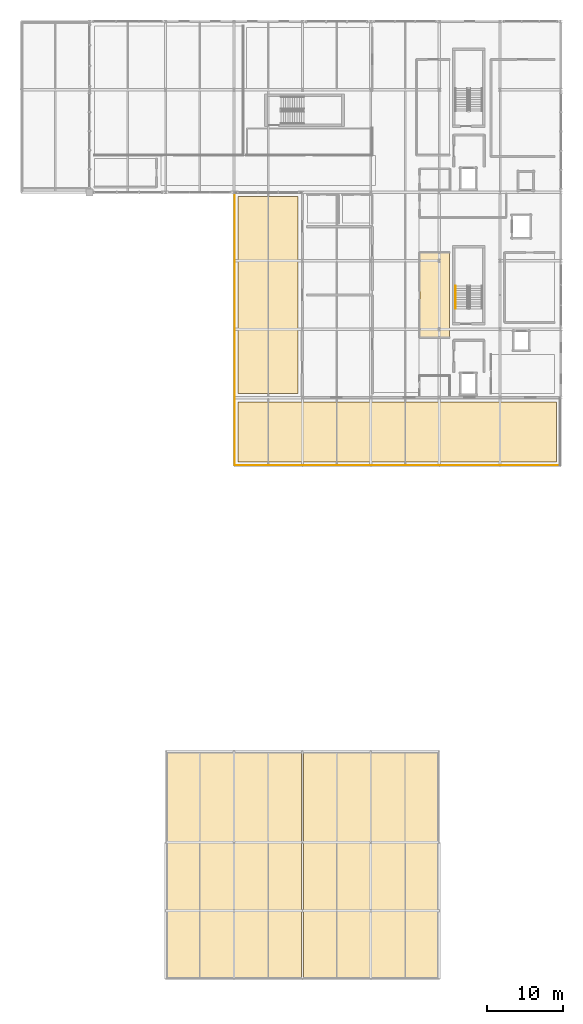
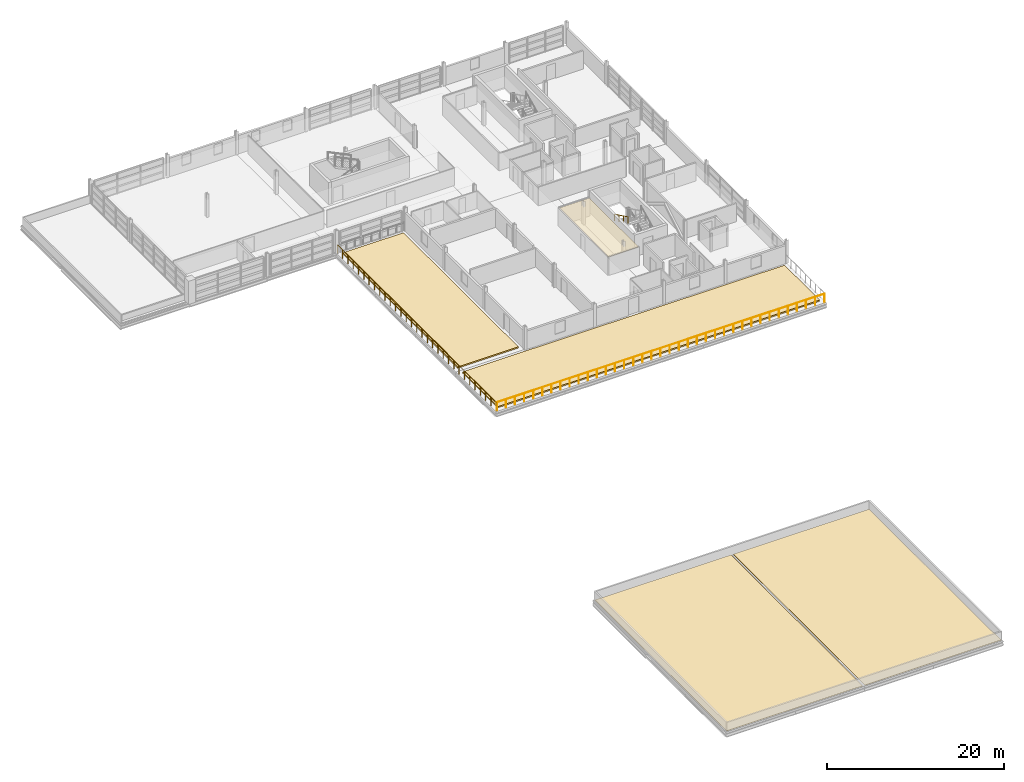
# One storey, part 26 of 30: 5 coverings, 3 railings.
"""IFC4 building model written with IfcOpenShell, lengths in metres."""

import ifcopenshell
import ifcopenshell.guid

model = None  # the IFC model being written
_history = None  # IfcOwnerHistory: only IFC2X3 demands one
_inside = {}  # id of a spatial element -> (the spatial element, [elements in it])
_under = {}  # id of a project, library or spatial element -> (it, [spatial elements below it])
_declared = {}  # id of a project -> (the project, [libraries it declares])
_typed = {}  # id of a type object -> (the type object, [elements of that type])
_made_of = {}  # id of a material, layer set ... -> (it, [elements and type objects made of it])


def new_model(schema):
    """Start an empty IFC model of exactly this schema.

    Asked for "IFC4X3", IfcOpenShell would pick the latest addendum, in which some entities
    have other attributes; the version numbers below select the first issue.
    IFC2X3 requires an IfcOwnerHistory on every rooted entity: one is made here for all.
    """
    global model, _history
    if schema == "IFC4X3":
        model = ifcopenshell.file(schema_version=(4, 3, 0, 0))
    else:
        model = ifcopenshell.file(schema=schema)
    _inside.clear()
    _under.clear()
    _declared.clear()
    _typed.clear()
    _made_of.clear()
    _history = None
    if model.schema == "IFC2X3":
        org = make("IfcOrganization", Name="unknown")
        user = make(
            "IfcPersonAndOrganization",
            ThePerson=make("IfcPerson", FamilyName="unknown"),
            TheOrganization=org,
        )
        app = make(
            "IfcApplication",
            ApplicationDeveloper=org,
            Version="unknown",
            ApplicationFullName="unknown",
            ApplicationIdentifier="unknown",
        )
        _history = make(
            "IfcOwnerHistory",
            OwningUser=user,
            OwningApplication=app,
            ChangeAction="ADDED",
            CreationDate=0,
        )
    return model


def make(cls, **values):
    """One entity of the class cls with the attributes given. An attribute that is None is left unset."""
    return model.create_entity(
        cls, **{name: value for name, value in values.items() if value is not None}
    )


def rooted(cls, **values):
    """An entity with a GlobalId (a new one), such as an element, a storey or a relation."""
    return make(cls, GlobalId=ifcopenshell.guid.new(), OwnerHistory=_history, **values)


def si_unit(unit_type, name, prefix=None):
    """IfcSIUnit, for example si_unit("LENGTHUNIT", "METRE", prefix="MILLI")."""
    return make("IfcSIUnit", UnitType=unit_type, Prefix=prefix, Name=name)


def assignment(units):
    """IfcUnitAssignment: the units of a project."""
    return None if units is None else make("IfcUnitAssignment", Units=units)


def point(xyz):
    """IfcCartesianPoint."""
    return None if xyz is None else make("IfcCartesianPoint", Coordinates=xyz)


def direction(xyz):
    """IfcDirection."""
    return None if xyz is None else make("IfcDirection", DirectionRatios=xyz)


def frame(location, z_axis=None, x_axis=None):
    """IfcAxis2Placement3D, a coordinate frame: its origin and axes. An axis left out is left unset."""
    return make(
        "IfcAxis2Placement3D",
        Location=point(location),
        Axis=direction(z_axis),
        RefDirection=direction(x_axis),
    )


def frame_2d(location, x_axis=None):
    """IfcAxis2Placement2D, a coordinate frame in the plane: its origin and x axis."""
    return make(
        "IfcAxis2Placement2D", Location=point(location), RefDirection=direction(x_axis)
    )


def origin():
    """The frame at (0, 0, 0) with its axes left unset."""
    return frame((0.0, 0.0, 0.0))


def origin_2d():
    """The frame at (0, 0) in the plane with its x axis left unset."""
    return frame_2d((0.0, 0.0))


def place(relative_to, where):
    """IfcLocalPlacement: puts the frame where relative to a parent placement (None: the world)."""
    return make(
        "IfcLocalPlacement", PlacementRelTo=relative_to, RelativePlacement=where
    )


def context(
    kind, dimensions, precision=None, world=None, true_north=None, identifier=None
):
    """IfcGeometricRepresentationContext, for example the 3D "Model" context."""
    return make(
        "IfcGeometricRepresentationContext",
        ContextIdentifier=identifier,
        ContextType=kind,
        CoordinateSpaceDimension=dimensions,
        Precision=precision,
        WorldCoordinateSystem=world,
        TrueNorth=true_north,
    )


def subcontext(parent, identifier, kind, view, scale=None):
    """IfcGeometricRepresentationSubContext, for example "Body" below "Model"."""
    return make(
        "IfcGeometricRepresentationSubContext",
        ContextIdentifier=identifier,
        ContextType=kind,
        ParentContext=parent,
        TargetScale=scale,
        TargetView=view,
    )


def project(units=None, contexts=None):
    """IfcProject with its units and contexts."""
    return rooted(
        "IfcProject",
        Name="project",
        RepresentationContexts=contexts,
        UnitsInContext=assignment(units),
    )


def spatial(cls, under=None, at=None, **own):
    """A site, building, storey or space (cls), placed at a placement, below another one or the project."""
    s = rooted(cls, ObjectPlacement=at, **own)
    if under is not None:
        _under.setdefault(under.id(), (under, []))[1].append(s)
    return s


def polyline(points):
    """IfcPolyline through the points."""
    return make("IfcPolyline", Points=[point(p) for p in points])


def profile(cls, at=None, kind="AREA", **sizes):
    """A parametric profile (cls). Its sizes go by their IFC names, for example OverallWidth=200.0."""
    return make(cls, ProfileType=kind, Position=at, **sizes)


def circle(**sizes):
    """IfcCircleProfileDef."""
    return profile("IfcCircleProfileDef", **sizes)


def outline(outer, holes=None, kind="AREA"):
    """IfcArbitraryClosedProfileDef: a profile drawn as a closed curve; with holes, ...WithVoids."""
    if holes is None:
        return make("IfcArbitraryClosedProfileDef", ProfileType=kind, OuterCurve=outer)
    return make(
        "IfcArbitraryProfileDefWithVoids",
        ProfileType=kind,
        OuterCurve=outer,
        InnerCurves=holes,
    )


def extrude(swept, where, along, depth):
    """IfcExtrudedAreaSolid: the profile swept, set in the frame where, extruded along a direction by depth."""
    return make(
        "IfcExtrudedAreaSolid",
        SweptArea=swept,
        Position=where,
        ExtrudedDirection=direction(along),
        Depth=depth,
    )


def shape(context_of_items, identifier, shape_type, items):
    """IfcShapeRepresentation: the items that make up one representation, for example the "Body"."""
    return make(
        "IfcShapeRepresentation",
        ContextOfItems=context_of_items,
        RepresentationIdentifier=identifier,
        RepresentationType=shape_type,
        Items=items,
    )


def material(Name=None, Category=None):
    """IfcMaterial."""
    return make("IfcMaterial", Name=Name, Category=Category)


def layer(
    of_material, thickness, ventilated=None, Name=None, Category=None, Priority=None
):
    """IfcMaterialLayer: one layer of a wall or slab, of a material (None: an air gap)."""
    return make(
        "IfcMaterialLayer",
        Material=of_material,
        LayerThickness=thickness,
        IsVentilated=ventilated,
        Name=Name,
        Category=Category,
        Priority=Priority,
    )


def layer_set(layers, Name=None):
    """IfcMaterialLayerSet."""
    return make("IfcMaterialLayerSet", MaterialLayers=layers, LayerSetName=Name)


def made_of(thing, what):
    """Note that an element or type object is made of a material, layer set ...; save() writes the relation."""
    if what is not None:
        _made_of.setdefault(what.id(), (what, []))[1].append(thing)
    return thing


def type_object(cls, material=None, **own):
    """A type object (cls), such as IfcWallType, which elements share."""
    return made_of(rooted(cls, **own), material)


def element(
    cls,
    number,
    at=None,
    inside=None,
    cuts=None,
    type_object=None,
    material=None,
    context=None,
    identifier="Body",
    shape_type=None,
    held_by="IfcProductDefinitionShape",
    body=None,
    shapes=None,
    **own,
):
    """One element of the class cls, such as IfcWall. Its Tag is "e" and its number.

    at: its placement. inside: the storey or other place that contains it. cuts: it is an
    opening in that element (IfcRelVoidsElement). A single representation is given by context,
    identifier, shape_type and body (its items); several are given by shapes. held_by: the class
    of the entity that holds the representations. save() writes the other relations.
    """
    e = rooted(cls, Tag="e%d" % number, ObjectPlacement=at, **own)
    if body is not None:
        shapes = [shape(context, identifier, shape_type, body)]
    if shapes is not None:
        e.Representation = make(held_by, Representations=shapes)
    if inside is not None:
        _inside.setdefault(inside.id(), (inside, []))[1].append(e)
    if cuts is not None:
        rooted(
            "IfcRelVoidsElement", RelatingBuildingElement=cuts, RelatedOpeningElement=e
        )
    if type_object is not None:
        _typed.setdefault(type_object.id(), (type_object, []))[1].append(e)
    return made_of(e, material)


def aggregate(whole, parts):
    """IfcRelAggregates: a whole, such as a stair, and the parts it consists of."""
    return rooted("IfcRelAggregates", RelatingObject=whole, RelatedObjects=parts)


def save(model, path):
    """Write the relations noted so far, then the file.

    IfcRelAggregates (storeys below a building ...), IfcRelContainedInSpatialStructure (elements
    in a storey), IfcRelDefinesByType, IfcRelAssociatesMaterial and IfcRelDeclares: one each for
    every whole, place, type object, material and project.
    """
    for whole, parts in _under.values():
        aggregate(whole, parts)
    for where, things in _inside.values():
        rooted(
            "IfcRelContainedInSpatialStructure",
            RelatedElements=things,
            RelatingStructure=where,
        )
    for kind, things in _typed.values():
        rooted("IfcRelDefinesByType", RelatedObjects=things, RelatingType=kind)
    for what, things in _made_of.values():
        rooted("IfcRelAssociatesMaterial", RelatedObjects=things, RelatingMaterial=what)
    for by, libraries in _declared.values():
        rooted("IfcRelDeclares", RelatingContext=by, RelatedDefinitions=libraries)
    model.write(path)


model = new_model("IFC4")

# Units and contexts
model_context = context("Model", 3, precision=1e-05, world=origin(), true_north=direction((0.0, 1.0)))
body_context = subcontext(model_context, "Body", "Model", "MODEL_VIEW")
ifc_project = project(units=[si_unit("LENGTHUNIT", "METRE"), si_unit("AREAUNIT", "SQUARE_METRE"), si_unit("VOLUMEUNIT", "CUBIC_METRE"), si_unit("PLANEANGLEUNIT", "RADIAN"), si_unit("MASSUNIT", "GRAM", prefix="KILO")], contexts=[model_context])

# Site, building, storey
site_placement = place(None, origin())
site = spatial("IfcSite", under=ifc_project, at=site_placement, CompositionType="ELEMENT")
building_placement = place(site_placement, origin())
building = spatial("IfcBuilding", under=site, at=building_placement, Name="Chuanluo Vaults Station", CompositionType="ELEMENT")
storey_placement = place(building_placement, frame((0.0, 0.0, 17.60009765625)))
storey = spatial("IfcBuildingStorey", under=building, at=storey_placement, Name="L04", CompositionType="ELEMENT", Elevation=17.60009765625)

# Coverings
ifc_material_1 = material(Name="Acoustic mineral-fibre tile")
ifc_layer_1 = layer(ifc_material_1, 0.02490234375)
ifc_layer_set_1 = layer_set([ifc_layer_1], Name="Acoustic mineral-fibre tile")
covering_type_1 = type_object("IfcCoveringType", Name="COV-CEIL-TILE", PredefinedType="CEILING", material=ifc_layer_set_1)
covering_1_placement = place(storey_placement, frame((0.0, 0.0, 2.434814453125)))
element("IfcCovering", 1, at=covering_1_placement, inside=storey, type_object=covering_type_1, Name="L04-09B suspended acoustic ceiling", PredefinedType="CEILING", context=body_context, shape_type="SweptSolid", body=[
    extrude(outline(polyline([(169.43994140625, 84.43994140625), (173.360107421875, 84.43994140625), (173.360107421875, 95.56005859375), (169.43994140625, 95.56005859375), (169.43994140625, 84.43994140625)])), origin(), (0.0, 0.0, 1.0), 0.025146484375),
])
ifc_material_2 = material(Name="Planted roof garden substrate")
ifc_layer_2 = layer(ifc_material_2, 0.179931640625)
ifc_layer_set_2 = layer_set([ifc_layer_2], Name="Planted roof garden substrate")
covering_type_2 = type_object("IfcCoveringType", Name="COV-ROOF-GRN", PredefinedType="ROOFING", material=ifc_layer_set_2)
covering_2_placement = place(storey_placement, origin())
element("IfcCovering", 2, at=covering_2_placement, inside=storey, type_object=covering_type_2, Name="Planted roof garden substrate TER:L04:S", PredefinedType="ROOFING", context=body_context, shape_type="SweptSolid", body=[
    extrude(outline(polyline([(145.550048828125, 68.050048828125), (187.449951171875, 68.050048828125), (187.449951171875, 75.949951171875), (145.550048828125, 75.949951171875), (145.550048828125, 68.050048828125)])), origin(), (0.0, 0.0, 1.0), 0.179931640625),
])
covering_3_placement = place(storey_placement, origin())
element("IfcCovering", 3, at=covering_3_placement, inside=storey, type_object=covering_type_2, Name="Planted roof garden substrate TER:L04:W", PredefinedType="ROOFING", context=body_context, shape_type="SweptSolid", body=[
    extrude(outline(polyline([(145.550048828125, 77.050048828125), (153.449951171875, 77.050048828125), (153.449951171875, 102.949951171875), (145.550048828125, 102.949951171875), (145.550048828125, 77.050048828125)])), origin(), (0.0, 0.0, 1.0), 0.179931640625),
])
ifc_material_3 = material(Name="TPO waterproof roofing membrane")
ifc_layer_3 = layer(ifc_material_3, 0.044921875)
ifc_layer_set_3 = layer_set([ifc_layer_3], Name="TPO waterproof roofing membrane")
covering_type_3 = type_object("IfcCoveringType", Name="COV-ROOF-TPO", PredefinedType="ROOFING", material=ifc_layer_set_3)
covering_4_placement = place(storey_placement, origin())
element("IfcCovering", 4, at=covering_4_placement, inside=storey, type_object=covering_type_3, Name="Waterproof TPO roof membrane ROOF:L04:RET1", PredefinedType="ROOFING", context=body_context, shape_type="SweptSolid", body=[
    extrude(outline(polyline([(136.14990234375, 0.14990234375), (153.85009765625, 0.14990234375), (153.85009765625, 29.85009765625), (136.14990234375, 29.85009765625), (136.14990234375, 0.14990234375)])), origin(), (0.0, 0.0, 1.0), 0.044921875),
])
covering_5_placement = place(storey_placement, origin())
element("IfcCovering", 5, at=covering_5_placement, inside=storey, type_object=covering_type_3, Name="Waterproof TPO roof membrane ROOF:L04:RET2", PredefinedType="ROOFING", context=body_context, shape_type="SweptSolid", body=[
    extrude(outline(polyline([(154.14990234375, 0.14990234375), (171.85009765625, 0.14990234375), (171.85009765625, 29.85009765625), (154.14990234375, 29.85009765625), (154.14990234375, 0.14990234375)])), origin(), (0.0, 0.0, 1.0), 0.044921875),
])

# Railings
ifc_material_4 = material(Name="Tempered laminated balustrade glass", Category="glass")
railing_type_1 = type_object("IfcRailingType", Name="RLG-GUARD-1200", PredefinedType="BALUSTRADE", material=ifc_material_4)
railing_1_placement = place(storey_placement, frame((187.800048828125, 67.60009765625, 0.0)))
element("IfcRailing", 6, at=railing_1_placement, inside=storey, type_object=railing_type_1, Name="Planted terrace perimeter balustrade TER-OPS-L04-S", PredefinedType="BALUSTRADE", context=body_context, shape_type="SweptSolid", body=[
    extrude(circle(Radius=0.02392578125, at=origin_2d()), frame((0.0, 0.0, 1.17578125), z_axis=(-1.0, 0.0, 0.0), x_axis=(0.0, -1.0, 0.0)), (0.0, 0.0, 1.0), 42.60009765625),
    extrude(circle(Radius=0.02099609375, at=origin_2d()), origin(), (0.0, 0.0, 1.0), 1.15185546875),
    extrude(circle(Radius=0.02099609375, at=origin_2d()), frame((-1.183349609375, 0.0, 0.0)), (0.0, 0.0, 1.0), 1.15185546875),
    extrude(circle(Radius=0.02099609375, at=origin_2d()), frame((-2.36669921875, 0.0, 0.0)), (0.0, 0.0, 1.0), 1.15185546875),
    extrude(circle(Radius=0.02099609375, at=origin_2d()), frame((-3.550048828125, 0.0, 0.0)), (0.0, 0.0, 1.0), 1.15185546875),
    extrude(circle(Radius=0.02099609375, at=origin_2d()), frame((-4.7333984375, 0.0, 0.0)), (0.0, 0.0, 1.0), 1.15185546875),
    extrude(circle(Radius=0.02099609375, at=origin_2d()), frame((-5.916748046875, 0.0, 0.0)), (0.0, 0.0, 1.0), 1.15185546875),
    extrude(circle(Radius=0.02099609375, at=origin_2d()), frame((-7.10009765625, 0.0, 0.0)), (0.0, 0.0, 1.0), 1.15185546875),
    extrude(circle(Radius=0.02099609375, at=origin_2d()), frame((-8.283447265625, 0.0, 0.0)), (0.0, 0.0, 1.0), 1.15185546875),
    extrude(circle(Radius=0.02099609375, at=origin_2d()), frame((-9.466796875, 0.0, 0.0)), (0.0, 0.0, 1.0), 1.15185546875),
    extrude(circle(Radius=0.02099609375, at=origin_2d()), frame((-10.64990234375, 0.0, 0.0)), (0.0, 0.0, 1.0), 1.15185546875),
    extrude(circle(Radius=0.02099609375, at=origin_2d()), frame((-11.833251953125, 0.0, 0.0)), (0.0, 0.0, 1.0), 1.15185546875),
    extrude(circle(Radius=0.02099609375, at=origin_2d()), frame((-13.0166015625, 0.0, 0.0)), (0.0, 0.0, 1.0), 1.15185546875),
    extrude(circle(Radius=0.02099609375, at=origin_2d()), frame((-14.199951171875, 0.0, 0.0)), (0.0, 0.0, 1.0), 1.15185546875),
    extrude(circle(Radius=0.02099609375, at=origin_2d()), frame((-15.38330078125, 0.0, 0.0)), (0.0, 0.0, 1.0), 1.15185546875),
    extrude(circle(Radius=0.02099609375, at=origin_2d()), frame((-16.566650390625, 0.0, 0.0)), (0.0, 0.0, 1.0), 1.15185546875),
    extrude(circle(Radius=0.02099609375, at=origin_2d()), frame((-17.75, 0.0, 0.0)), (0.0, 0.0, 1.0), 1.15185546875),
    extrude(circle(Radius=0.02099609375, at=origin_2d()), frame((-18.933349609375, 0.0, 0.0)), (0.0, 0.0, 1.0), 1.15185546875),
    extrude(circle(Radius=0.02099609375, at=origin_2d()), frame((-20.11669921875, 0.0, 0.0)), (0.0, 0.0, 1.0), 1.15185546875),
    extrude(circle(Radius=0.02099609375, at=origin_2d()), frame((-21.300048828125, 0.0, 0.0)), (0.0, 0.0, 1.0), 1.15185546875),
    extrude(circle(Radius=0.02099609375, at=origin_2d()), frame((-22.4833984375, 0.0, 0.0)), (0.0, 0.0, 1.0), 1.15185546875),
    extrude(circle(Radius=0.02099609375, at=origin_2d()), frame((-23.666748046875, 0.0, 0.0)), (0.0, 0.0, 1.0), 1.15185546875),
    extrude(circle(Radius=0.02099609375, at=origin_2d()), frame((-24.85009765625, 0.0, 0.0)), (0.0, 0.0, 1.0), 1.15185546875),
    extrude(circle(Radius=0.02099609375, at=origin_2d()), frame((-26.033447265625, 0.0, 0.0)), (0.0, 0.0, 1.0), 1.15185546875),
    extrude(circle(Radius=0.02099609375, at=origin_2d()), frame((-27.216796875, 0.0, 0.0)), (0.0, 0.0, 1.0), 1.15185546875),
    extrude(circle(Radius=0.02099609375, at=origin_2d()), frame((-28.400146484375, 0.0, 0.0)), (0.0, 0.0, 1.0), 1.15185546875),
    extrude(circle(Radius=0.02099609375, at=origin_2d()), frame((-29.58349609375, 0.0, 0.0)), (0.0, 0.0, 1.0), 1.15185546875),
    extrude(circle(Radius=0.02099609375, at=origin_2d()), frame((-30.766845703125, 0.0, 0.0)), (0.0, 0.0, 1.0), 1.15185546875),
    extrude(circle(Radius=0.02099609375, at=origin_2d()), frame((-31.9501953125, 0.0, 0.0)), (0.0, 0.0, 1.0), 1.15185546875),
    extrude(circle(Radius=0.02099609375, at=origin_2d()), frame((-33.13330078125, 0.0, 0.0)), (0.0, 0.0, 1.0), 1.15185546875),
    extrude(circle(Radius=0.02099609375, at=origin_2d()), frame((-34.316650390625, 0.0, 0.0)), (0.0, 0.0, 1.0), 1.15185546875),
    extrude(circle(Radius=0.02099609375, at=origin_2d()), frame((-35.5, 0.0, 0.0)), (0.0, 0.0, 1.0), 1.15185546875),
    extrude(circle(Radius=0.02099609375, at=origin_2d()), frame((-36.683349609375, 0.0, 0.0)), (0.0, 0.0, 1.0), 1.15185546875),
    extrude(circle(Radius=0.02099609375, at=origin_2d()), frame((-37.86669921875, 0.0, 0.0)), (0.0, 0.0, 1.0), 1.15185546875),
    extrude(circle(Radius=0.02099609375, at=origin_2d()), frame((-39.050048828125, 0.0, 0.0)), (0.0, 0.0, 1.0), 1.15185546875),
    extrude(circle(Radius=0.02099609375, at=origin_2d()), frame((-40.2333984375, 0.0, 0.0)), (0.0, 0.0, 1.0), 1.15185546875),
    extrude(circle(Radius=0.02099609375, at=origin_2d()), frame((-41.416748046875, 0.0, 0.0)), (0.0, 0.0, 1.0), 1.15185546875),
    extrude(circle(Radius=0.02099609375, at=origin_2d()), frame((-42.60009765625, 0.0, 0.0)), (0.0, 0.0, 1.0), 1.15185546875),
])
railing_2_placement = place(storey_placement, frame((145.10009765625, 67.60009765625, 0.0)))
element("IfcRailing", 7, at=railing_2_placement, inside=storey, type_object=railing_type_1, Name="Planted terrace perimeter balustrade TER-OPS-L04-W", PredefinedType="BALUSTRADE", context=body_context, shape_type="SweptSolid", body=[
    extrude(circle(Radius=0.02392578125, at=origin_2d()), frame((0.0, 0.0, 1.17578125), z_axis=(0.0, 1.0, 0.0), x_axis=(-1.0, 0.0, 0.0)), (0.0, 0.0, 1.0), 35.7998046875),
    extrude(circle(Radius=0.02099609375, at=origin_2d()), origin(), (0.0, 0.0, 1.0), 1.15185546875),
    extrude(circle(Radius=0.02099609375, at=origin_2d()), frame((0.0, 1.193359375, 0.0)), (0.0, 0.0, 1.0), 1.15185546875),
    extrude(circle(Radius=0.02099609375, at=origin_2d()), frame((0.0, 2.38671875, 0.0)), (0.0, 0.0, 1.0), 1.15185546875),
    extrude(circle(Radius=0.02099609375, at=origin_2d()), frame((0.0, 3.580078125, 0.0)), (0.0, 0.0, 1.0), 1.15185546875),
    extrude(circle(Radius=0.02099609375, at=origin_2d()), frame((0.0, 4.773193359375, 0.0)), (0.0, 0.0, 1.0), 1.15185546875),
    extrude(circle(Radius=0.02099609375, at=origin_2d()), frame((0.0, 5.966552734375, 0.0)), (0.0, 0.0, 1.0), 1.15185546875),
    extrude(circle(Radius=0.02099609375, at=origin_2d()), frame((0.0, 7.159912109375, 0.0)), (0.0, 0.0, 1.0), 1.15185546875),
    extrude(circle(Radius=0.02099609375, at=origin_2d()), frame((0.0, 8.353271484375, 0.0)), (0.0, 0.0, 1.0), 1.15185546875),
    extrude(circle(Radius=0.02099609375, at=origin_2d()), frame((0.0, 9.546630859375, 0.0)), (0.0, 0.0, 1.0), 1.15185546875),
    extrude(circle(Radius=0.02099609375, at=origin_2d()), frame((0.0, 10.739990234375, 0.0)), (0.0, 0.0, 1.0), 1.15185546875),
    extrude(circle(Radius=0.02099609375, at=origin_2d()), frame((0.0, 11.933349609375, 0.0)), (0.0, 0.0, 1.0), 1.15185546875),
    extrude(circle(Radius=0.02099609375, at=origin_2d()), frame((0.0, 13.126708984375, 0.0)), (0.0, 0.0, 1.0), 1.15185546875),
    extrude(circle(Radius=0.02099609375, at=origin_2d()), frame((0.0, 14.31982421875, 0.0)), (0.0, 0.0, 1.0), 1.15185546875),
    extrude(circle(Radius=0.02099609375, at=origin_2d()), frame((0.0, 15.51318359375, 0.0)), (0.0, 0.0, 1.0), 1.15185546875),
    extrude(circle(Radius=0.02099609375, at=origin_2d()), frame((0.0, 16.70654296875, 0.0)), (0.0, 0.0, 1.0), 1.15185546875),
    extrude(circle(Radius=0.02099609375, at=origin_2d()), frame((0.0, 17.89990234375, 0.0)), (0.0, 0.0, 1.0), 1.15185546875),
    extrude(circle(Radius=0.02099609375, at=origin_2d()), frame((0.0, 19.09326171875, 0.0)), (0.0, 0.0, 1.0), 1.15185546875),
    extrude(circle(Radius=0.02099609375, at=origin_2d()), frame((0.0, 20.28662109375, 0.0)), (0.0, 0.0, 1.0), 1.15185546875),
    extrude(circle(Radius=0.02099609375, at=origin_2d()), frame((0.0, 21.47998046875, 0.0)), (0.0, 0.0, 1.0), 1.15185546875),
    extrude(circle(Radius=0.02099609375, at=origin_2d()), frame((0.0, 22.673095703125, 0.0)), (0.0, 0.0, 1.0), 1.15185546875),
    extrude(circle(Radius=0.02099609375, at=origin_2d()), frame((0.0, 23.866455078125, 0.0)), (0.0, 0.0, 1.0), 1.15185546875),
    extrude(circle(Radius=0.02099609375, at=origin_2d()), frame((0.0, 25.059814453125, 0.0)), (0.0, 0.0, 1.0), 1.15185546875),
    extrude(circle(Radius=0.02099609375, at=origin_2d()), frame((0.0, 26.253173828125, 0.0)), (0.0, 0.0, 1.0), 1.15185546875),
    extrude(circle(Radius=0.02099609375, at=origin_2d()), frame((0.0, 27.446533203125, 0.0)), (0.0, 0.0, 1.0), 1.15185546875),
    extrude(circle(Radius=0.02099609375, at=origin_2d()), frame((0.0, 28.639892578125, 0.0)), (0.0, 0.0, 1.0), 1.15185546875),
    extrude(circle(Radius=0.02099609375, at=origin_2d()), frame((0.0, 29.833251953125, 0.0)), (0.0, 0.0, 1.0), 1.15185546875),
    extrude(circle(Radius=0.02099609375, at=origin_2d()), frame((0.0, 31.026611328125, 0.0)), (0.0, 0.0, 1.0), 1.15185546875),
    extrude(circle(Radius=0.02099609375, at=origin_2d()), frame((0.0, 32.2197265625, 0.0)), (0.0, 0.0, 1.0), 1.15185546875),
    extrude(circle(Radius=0.02099609375, at=origin_2d()), frame((0.0, 33.4130859375, 0.0)), (0.0, 0.0, 1.0), 1.15185546875),
    extrude(circle(Radius=0.02099609375, at=origin_2d()), frame((0.0, 34.6064453125, 0.0)), (0.0, 0.0, 1.0), 1.15185546875),
    extrude(circle(Radius=0.02099609375, at=origin_2d()), frame((0.0, 35.7998046875, 0.0)), (0.0, 0.0, 1.0), 1.15185546875),
])
ifc_material_5 = material(Name="Brushed stainless steel 304", Category="steel")
railing_type_2 = type_object("IfcRailingType", Name="RLG-HAND-900", PredefinedType="HANDRAIL", material=ifc_material_5)
railing_3_placement = place(storey_placement, frame((174.117431640625, 91.1875, 1.745361328125)))
element("IfcRailing", 8, at=railing_3_placement, inside=storey, type_object=railing_type_2, Name="L04 ST-01 stair handrail 2", PredefinedType="HANDRAIL", context=body_context, shape_type="SweptSolid", body=[
    extrude(circle(Radius=0.02392578125, at=origin_2d()), frame((0.0, 0.0, 0.8759765625), z_axis=(0.0, -0.899808880547, 0.43628428632), x_axis=(1.0, 0.0, 0.0)), (0.0, 0.0, 1.0), 3.333984375),
    extrude(circle(Radius=0.02099609375, at=origin_2d()), origin(), (0.0, 0.0, 1.0), 0.851806640625),
    extrude(circle(Radius=0.02099609375, at=origin_2d()), frame((0.0, -1.0, 0.48486328125)), (0.0, 0.0, 1.0), 0.851806640625),
    extrude(circle(Radius=0.02099609375, at=origin_2d()), frame((0.0, -2.0, 0.9697265625)), (0.0, 0.0, 1.0), 0.851806640625),
    extrude(circle(Radius=0.02099609375, at=origin_2d()), frame((0.0, -3.0, 1.45458984375)), (0.0, 0.0, 1.0), 0.851806640625),
])

save(model, "model.ifc")
